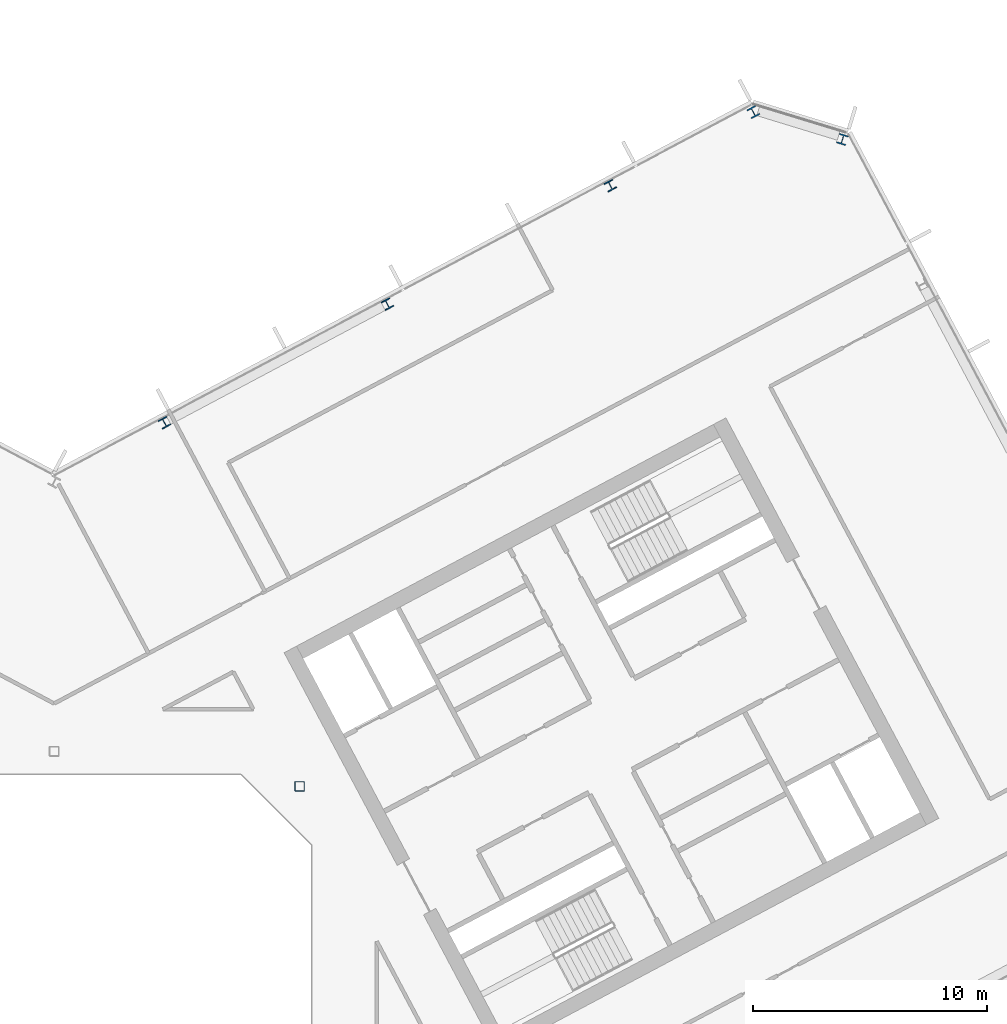
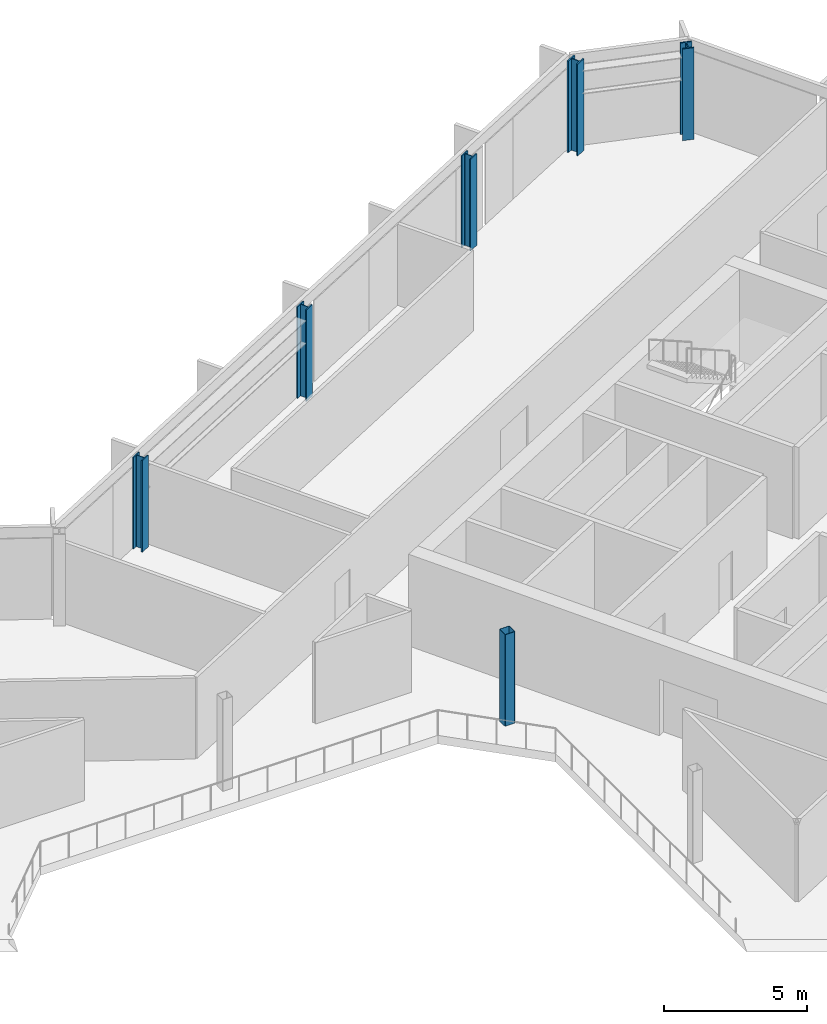
# One storey, part 6 of 26: 6 columns.
"""IFC4 building model written with IfcOpenShell, lengths in metres."""

from ifc_helpers import new_model, si_unit, direction, frame, origin, origin_2d, place, context, subcontext, project, spatial, hollow_rectangle, i_section, extrude, material, material_profile, profile_set, type_object, element, save


model = new_model("IFC4")

# Units and contexts
model_context = context("Model", 3, precision=1e-05, world=origin(), true_north=direction((0.0, 1.0)))
body_context = subcontext(model_context, "Body", "Model", "MODEL_VIEW")
ifc_project = project(units=[si_unit("LENGTHUNIT", "METRE"), si_unit("AREAUNIT", "SQUARE_METRE"), si_unit("VOLUMEUNIT", "CUBIC_METRE"), si_unit("PLANEANGLEUNIT", "RADIAN"), si_unit("MASSUNIT", "GRAM", prefix="KILO")], contexts=[model_context])

# Site, building, storey
site_placement = place(None, origin())
site = spatial("IfcSite", under=ifc_project, at=site_placement, CompositionType="ELEMENT")
building_placement = place(site_placement, origin())
building = spatial("IfcBuilding", under=site, at=building_placement, Name="Cormorant Relay Tower", CompositionType="ELEMENT")
storey_placement = place(building_placement, frame((0.0, 0.0, 248.10009765625)))
storey = spatial("IfcBuildingStorey", under=building, at=storey_placement, Name="L55", CompositionType="ELEMENT", Elevation=248.10009765625)

# Columns
ifc_material_1 = material(Name="Steel ASTM A500 Grade C (Fy 345 MPa)", Category="steel")
ifc_material_profile_1 = material_profile(ifc_material_1, hollow_rectangle(XDim=0.406494140625, YDim=0.406494140625, WallThickness=0.0146484375, InnerFilletRadius=0.00732421875, OuterFilletRadius=0.022216796875, at=origin_2d()), Name="HSS406x406x15")
ifc_profile_set_1 = profile_set([ifc_material_profile_1], Name="Steel ASTM A500 Grade C (Fy 345 MPa)")
column_type_1 = type_object("IfcColumnType", Name="Column HSS406x406x15", PredefinedType="COLUMN", material=ifc_profile_set_1)
column_placement = place(storey_placement, frame((10.5, 10.5, 0.0), z_axis=(0.0, 0.0, 1.0), x_axis=(1.0, 0.0, 0.0)))
element("IfcColumn", 1, at=column_placement, inside=storey, type_object=column_type_1, Name="Column L55-024", PredefinedType="COLUMN", context=body_context, shape_type="SweptSolid", body=[
    extrude(hollow_rectangle(XDim=0.406494140625, YDim=0.406494140625, WallThickness=0.0146484375, InnerFilletRadius=0.00732421875, OuterFilletRadius=0.022216796875, at=origin_2d()), origin(), (0.0, 0.0, 1.0), 3.89990234375),
])
ifc_material_2 = material(Name="Steel ASTM A992 (Fy 345 MPa)", Category="steel")
ifc_material_profile_2 = material_profile(ifc_material_2, i_section(OverallWidth=0.40380859375, OverallDepth=0.406494140625, WebThickness=0.027099609375, FlangeThickness=0.043701171875, FilletRadius=0.01513671875, at=origin_2d()), Name="W360x347")
ifc_profile_set_2 = profile_set([ifc_material_profile_2], Name="Steel ASTM A992 (Fy 345 MPa)")
column_type_2 = type_object("IfcColumnType", Name="Column W360x347", PredefinedType="COLUMN", material=ifc_profile_set_2)
for number, where, z_axis, x_axis, name in (
    (2, (4.719970703125, 26.055908203125, 0.0), (0.0, 0.0, 1.0), (-0.882947592859, -0.469471562786, 0.0), "Column L55-032"),
    (3, (14.256103515625, 31.1259765625, 0.0), (0.0, 0.0, 1.0), (-0.882947592859, -0.469471562786, 0.0), "Column L55-035"),
    (4, (23.7919921875, 36.196044921875, 0.0), (0.0, 0.0, 1.0), (-0.882947592859, -0.469471562786, 0.0), "Column L55-039"),
):
    element("IfcColumn", number, at=place(storey_placement, frame(where, z_axis=z_axis, x_axis=x_axis)), inside=storey, type_object=column_type_2, Name=name, PredefinedType="COLUMN", context=body_context, shape_type="SweptSolid", body=[
        extrude(i_section(OverallWidth=0.40380859375, OverallDepth=0.406494140625, WebThickness=0.027099609375, FlangeThickness=0.043701171875, FilletRadius=0.01513671875, at=origin_2d()), origin(), (0.0, 0.0, 1.0), 3.89990234375),
    ])
ifc_material_3 = material(Name="Steel ASTM A992 (Fy 345 MPa)", Category="steel")
ifc_material_profile_3 = material_profile(ifc_material_3, i_section(OverallWidth=0.41162109375, OverallDepth=0.434326171875, WebThickness=0.035888671875, FlangeThickness=0.057373046875, FilletRadius=0.01513671875, at=origin_2d()), Name="W360x463")
ifc_profile_set_3 = profile_set([ifc_material_profile_3], Name="Steel ASTM A992 (Fy 345 MPa)")
column_type_3 = type_object("IfcColumnType", Name="Column W360x463", PredefinedType="COLUMN", material=ifc_profile_set_3)
for number, where, z_axis, x_axis, name in (
    (5, (33.720947265625, 38.173095703125, 0.0), (0.0, 0.0, 1.0), (-0.956304755963, 0.292371704723, 0.0), "Column L55-041"),
    (6, (29.905029296875, 39.340087890625, 0.0), (0.0, 0.0, 1.0), (-0.882947592859, -0.469471562786, 0.0), "Column L55-043"),
):
    element("IfcColumn", number, at=place(storey_placement, frame(where, z_axis=z_axis, x_axis=x_axis)), inside=storey, type_object=column_type_3, Name=name, PredefinedType="COLUMN", context=body_context, shape_type="SweptSolid", body=[
        extrude(i_section(OverallWidth=0.41162109375, OverallDepth=0.434326171875, WebThickness=0.035888671875, FlangeThickness=0.057373046875, FilletRadius=0.01513671875, at=origin_2d()), origin(), (0.0, 0.0, 1.0), 3.89990234375),
    ])

save(model, "model.ifc")
